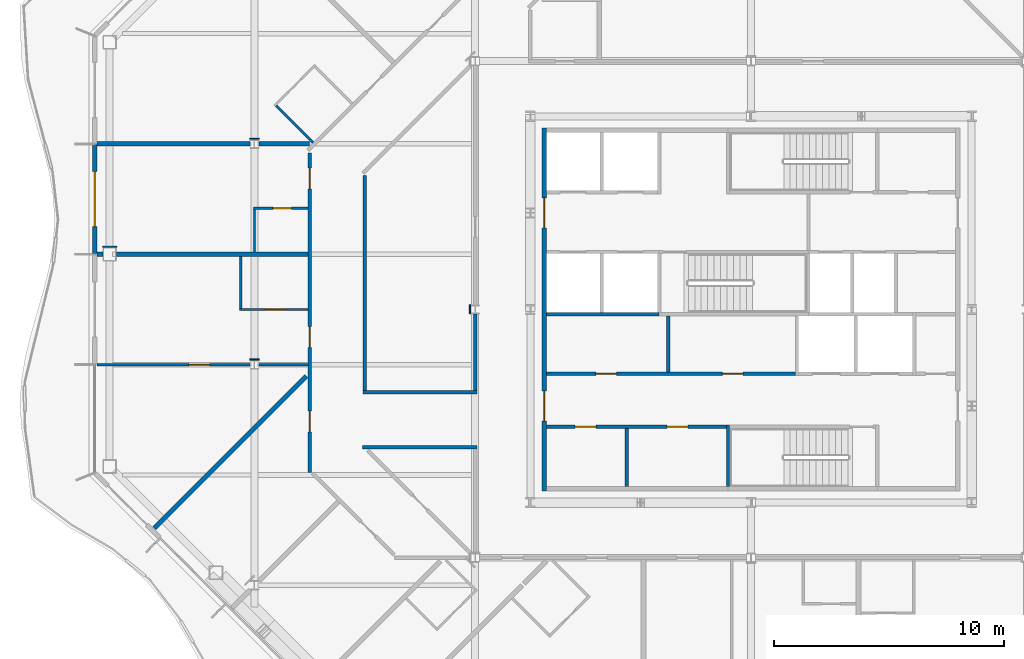
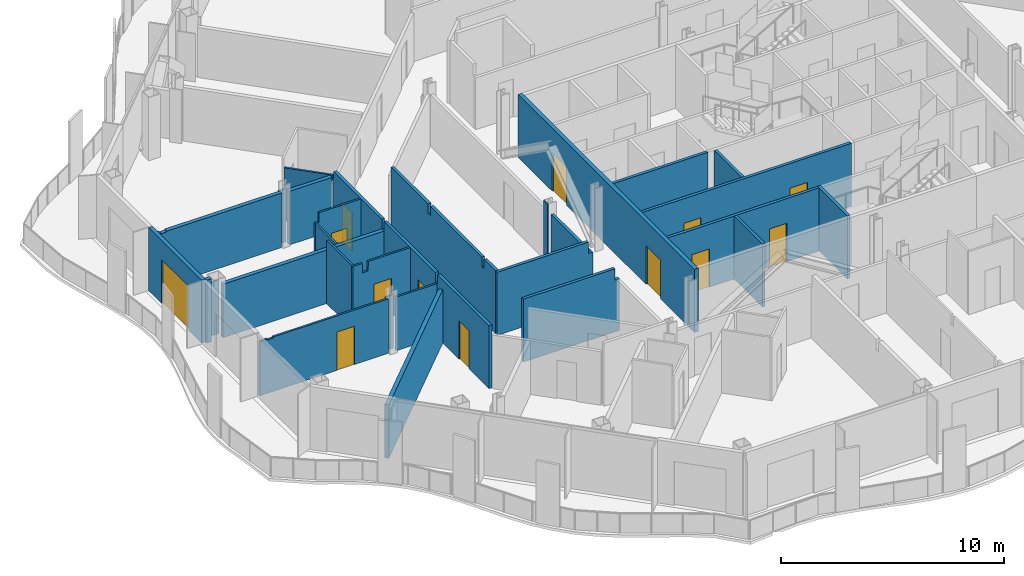
# One storey, part 8 of 21: 29 walls, 13 doors, 13 openings.
"""IFC4 building model written with IfcOpenShell, lengths in metres."""

from ifc_helpers import new_model, si_unit, direction, frame, frame_2d, origin, place, context, subcontext, project, spatial, polyline, rectangle, outline, extrude, material, layer, layer_set, type_object, element, fill, save


model = new_model("IFC4")

# Units and contexts
model_context = context("Model", 3, precision=1e-05, world=origin(), true_north=direction((0.0, 1.0)))
body_context = subcontext(model_context, "Body", "Model", "MODEL_VIEW")
ifc_project = project(units=[si_unit("LENGTHUNIT", "METRE"), si_unit("AREAUNIT", "SQUARE_METRE"), si_unit("VOLUMEUNIT", "CUBIC_METRE"), si_unit("PLANEANGLEUNIT", "RADIAN"), si_unit("MASSUNIT", "GRAM", prefix="KILO")], contexts=[model_context])

# Site, building, storey
site_placement = place(None, origin())
site = spatial("IfcSite", under=ifc_project, at=site_placement, CompositionType="ELEMENT")
building_placement = place(site_placement, origin())
building = spatial("IfcBuilding", under=site, at=building_placement, Name="Cairn Pilgrim Tower", CompositionType="ELEMENT")
storey_placement = place(building_placement, frame((0.0, 0.0, 150.60009765625)))
storey = spatial("IfcBuildingStorey", under=building, at=storey_placement, Name="L37", CompositionType="ELEMENT", Elevation=150.60009765625)

# Wall, opening, door
ifc_material_1 = material(Name="Bronze anodised aluminium insulated sandwich panel with mineral wool fill", Category="aluminium")
ifc_layer_1 = layer(ifc_material_1, 0.199951171875)
ifc_layer_set_1 = layer_set([ifc_layer_1], Name="BRONZE INFILL FRAME WALL 200")
wall_type_1 = type_object("IfcWallType", Name="BRONZE INFILL FRAME WALL 200", PredefinedType="NOTDEFINED", material=ifc_layer_set_1)
wall_1_placement = place(storey_placement, frame((-21.35009765625, 9.570068359375, 0.0), z_axis=(0.0, 0.0, 1.0), x_axis=(0.0, -1.0, 0.0)))
wall_1 = element("IfcWall", 1, at=wall_1_placement, inside=storey, type_object=wall_type_1, Name="Bronze infill frame wall IW-W2", PredefinedType="NOTDEFINED", context=body_context, shape_type="SweptSolid", body=[
    extrude(rectangle(XDim=4.739990234375, YDim=0.199951171875, at=frame_2d((2.3701171875, 0.0))), origin(), (0.0, 0.0, 1.0), 3.449951171875),
])
opening_1_placement = place(wall_1_placement, frame((1.169921875, 0.0, 0.0)))
opening_1 = element("IfcOpeningElement", 2, at=opening_1_placement, cuts=wall_1, Name="Opening 3714B", PredefinedType="OPENING", context=body_context, shape_type="SweptSolid", body=[
    extrude(rectangle(XDim=2.39990234375, YDim=2.39990234375, at=frame_2d((1.199951171875, 1.199951171875))), frame((0.0, 0.10986328125, 0.0), z_axis=(0.0, -1.0, 0.0), x_axis=(1.0, 0.0, 0.0)), (0.0, 0.0, 1.0), 0.219970703125),
])
ifc_material_2 = material(Name="Bronze anodised aluminium frame with tinted low-E glass", Category="aluminium")
door_type_1 = type_object("IfcDoorType", Name="BALCONY SLIDING DOOR 2400x2400", OperationType="DOUBLE_DOOR_SLIDING", PredefinedType="DOOR", material=ifc_material_2)
door_1_placement = place(opening_1_placement, origin())
door_1 = element("IfcDoor", 3, at=door_1_placement, inside=storey, type_object=door_type_1, Name="Balcony sliding door 3714B", OperationType="SINGLE_SWING_LEFT", OverallHeight=2.39990234375, OverallWidth=2.39990234375, PredefinedType="DOOR", context=body_context, shape_type="SweptSolid", body=[
    extrude(rectangle(XDim=2.39990234375, YDim=2.39990234375, at=frame_2d((1.199951171875, 1.199951171875))), frame((0.0, 0.02490234375, 0.0), z_axis=(0.0, -1.0, 0.0), x_axis=(1.0, 0.0, 0.0)), (0.0, 0.0, 1.0), 0.050048828125),
])
fill(opening_1, door_1)

# Wall, openings, doors
ifc_material_3 = material(Name="Concrete C32/40", Category="concrete")
ifc_layer_2 = layer(ifc_material_3, 0.199951171875)
ifc_layer_set_2 = layer_set([ifc_layer_2], Name="CORE OUTER WALL 200 EI 120")
wall_type_2 = type_object("IfcWallType", Name="CORE OUTER WALL 200 EI 120", PredefinedType="SOLIDWALL", material=ifc_layer_set_2)
wall_2_placement = place(storey_placement, frame((-1.800048828125, -5.5, 0.0), z_axis=(0.0, 0.0, 1.0), x_axis=(0.0, 1.0, 0.0)))
wall_2 = element("IfcWall", 4, at=wall_2_placement, inside=storey, type_object=wall_type_2, Name="CW:L37:V13", PredefinedType="SOLIDWALL", context=body_context, shape_type="SweptSolid", body=[
    extrude(rectangle(XDim=15.800048828125, YDim=0.199951171875, at=frame_2d((7.89990234375, 0.0))), origin(), (0.0, 0.0, 1.0), 3.449951171875),
])
opening_2_placement = place(wall_2_placement, frame((3.050048828125, 0.0, 0.0)))
opening_2 = element("IfcOpeningElement", 5, at=opening_2_placement, cuts=wall_2, Name="Opening CD-W1", PredefinedType="OPENING", context=body_context, shape_type="SweptSolid", body=[
    extrude(rectangle(XDim=1.300048828125, YDim=2.10009765625, at=frame_2d((0.64990234375, 1.050048828125))), frame((0.0, 0.10986328125, 0.0), z_axis=(0.0, -1.0, 0.0), x_axis=(1.0, 0.0, 0.0)), (0.0, 0.0, 1.0), 0.219970703125),
])
opening_3_placement = place(wall_2_placement, frame((11.449951171875, 0.0, 0.0)))
opening_3 = element("IfcOpeningElement", 6, at=opening_3_placement, cuts=wall_2, Name="Opening CD-W2", PredefinedType="OPENING", context=body_context, shape_type="SweptSolid", body=[
    extrude(rectangle(XDim=1.300048828125, YDim=2.10009765625, at=frame_2d((0.64990234375, 1.050048828125))), frame((0.0, 0.10986328125, 0.0), z_axis=(0.0, -1.0, 0.0), x_axis=(1.0, 0.0, 0.0)), (0.0, 0.0, 1.0), 0.219970703125),
])
ifc_material_4 = material(Name="Painted steel", Category="steel")
door_type_2 = type_object("IfcDoorType", Name="CORE LOBBY DOOR 1300x2100", OperationType="DOUBLE_DOOR_SINGLE_SWING", PredefinedType="DOOR", material=ifc_material_4)
door_2_placement = place(opening_2_placement, origin())
door_2 = element("IfcDoor", 7, at=door_2_placement, inside=storey, type_object=door_type_2, Name="CD-W1", OperationType="DOUBLE_DOOR_SINGLE_SWING", OverallHeight=2.10009765625, OverallWidth=1.300048828125, PredefinedType="DOOR", context=body_context, shape_type="SweptSolid", body=[
    extrude(rectangle(XDim=1.300048828125, YDim=2.10009765625, at=frame_2d((0.64990234375, 1.050048828125))), frame((0.0, 0.02490234375, 0.0), z_axis=(0.0, -1.0, 0.0), x_axis=(1.0, 0.0, 0.0)), (0.0, 0.0, 1.0), 0.050048828125),
])
fill(opening_2, door_2)
door_3_placement = place(opening_3_placement, origin())
door_3 = element("IfcDoor", 8, at=door_3_placement, inside=storey, type_object=door_type_2, Name="CD-W2", OperationType="DOUBLE_DOOR_SINGLE_SWING", OverallHeight=2.10009765625, OverallWidth=1.300048828125, PredefinedType="DOOR", context=body_context, shape_type="SweptSolid", body=[
    extrude(rectangle(XDim=1.300048828125, YDim=2.10009765625, at=frame_2d((0.64990234375, 1.050048828125))), frame((0.0, 0.02490234375, 0.0), z_axis=(0.0, -1.0, 0.0), x_axis=(1.0, 0.0, 0.0)), (0.0, 0.0, 1.0), 0.050048828125),
])
fill(opening_3, door_3)

ifc_layer_3 = layer(ifc_material_3, 0.14990234375)
ifc_layer_set_3 = layer_set([ifc_layer_3], Name="CORE PARTITION 150 EI 60")
wall_type_3 = type_object("IfcWallType", Name="CORE PARTITION 150 EI 60", PredefinedType="PARTITIONING", material=ifc_layer_set_3)
wall_3_placement = place(storey_placement, frame((-1.699951171875, -2.699951171875, 0.0), z_axis=(0.0, 0.0, 1.0), x_axis=(1.0, 0.0, 0.0)))
wall_3 = element("IfcWall", 9, at=wall_3_placement, inside=storey, type_object=wall_type_3, Name="CW:L37:H02", PredefinedType="PARTITIONING", context=body_context, shape_type="SweptSolid", body=[
    extrude(rectangle(XDim=7.824951171875, YDim=0.14990234375, at=frame_2d((3.91259765625, 0.0))), origin(), (0.0, 0.0, 1.0), 3.449951171875),
])
opening_4_placement = place(wall_3_placement, frame((1.25, 0.0, 0.0)))
opening_4 = element("IfcOpeningElement", 10, at=opening_4_placement, cuts=wall_3, Name="Opening RD-R1W1", PredefinedType="OPENING", context=body_context, shape_type="SweptSolid", body=[
    extrude(rectangle(XDim=0.89990234375, YDim=2.10009765625, at=frame_2d((0.449951171875, 1.050048828125))), frame((0.0, 0.0849609375, 0.0), z_axis=(0.0, -1.0, 0.0), x_axis=(1.0, 0.0, 0.0)), (0.0, 0.0, 1.0), 0.169921875),
])
opening_5_placement = place(wall_3_placement, frame((5.25, 0.0, 0.0)))
opening_5 = element("IfcOpeningElement", 11, at=opening_5_placement, cuts=wall_3, Name="Opening RD-R1W2", PredefinedType="OPENING", context=body_context, shape_type="SweptSolid", body=[
    extrude(rectangle(XDim=0.89990234375, YDim=2.10009765625, at=frame_2d((0.449951171875, 1.050048828125))), frame((0.0, 0.0849609375, 0.0), z_axis=(0.0, -1.0, 0.0), x_axis=(1.0, 0.0, 0.0)), (0.0, 0.0, 1.0), 0.169921875),
])
door_type_3 = type_object("IfcDoorType", Name="SERVICE ROOM DOOR 900x2100", OperationType="SINGLE_SWING_LEFT", PredefinedType="DOOR", material=ifc_material_4)
door_4_placement = place(opening_4_placement, origin())
door_4 = element("IfcDoor", 12, at=door_4_placement, inside=storey, type_object=door_type_3, Name="RD-R1W1", OperationType="SINGLE_SWING_LEFT", OverallHeight=2.10009765625, OverallWidth=0.89990234375, PredefinedType="DOOR", context=body_context, shape_type="SweptSolid", body=[
    extrude(rectangle(XDim=0.89990234375, YDim=2.10009765625, at=frame_2d((0.449951171875, 1.050048828125))), frame((0.0, 0.02490234375, 0.0), z_axis=(0.0, -1.0, 0.0), x_axis=(1.0, 0.0, 0.0)), (0.0, 0.0, 1.0), 0.050048828125),
])
fill(opening_4, door_4)
door_5_placement = place(opening_5_placement, origin())
door_5 = element("IfcDoor", 13, at=door_5_placement, inside=storey, type_object=door_type_3, Name="RD-R1W2", OperationType="SINGLE_SWING_RIGHT", OverallHeight=2.10009765625, OverallWidth=0.89990234375, PredefinedType="DOOR", context=body_context, shape_type="SweptSolid", body=[
    extrude(rectangle(XDim=0.89990234375, YDim=2.10009765625, at=frame_2d((0.449951171875, 1.050048828125))), frame((0.0, 0.02490234375, 0.0), z_axis=(0.0, -1.0, 0.0), x_axis=(1.0, 0.0, 0.0)), (0.0, 0.0, 1.0), 0.050048828125),
])
fill(opening_5, door_5)

wall_4_placement = place(storey_placement, frame((-1.699951171875, -0.39990234375, 0.0), z_axis=(0.0, 0.0, 1.0), x_axis=(1.0, 0.0, 0.0)))
wall_4 = element("IfcWall", 14, at=wall_4_placement, inside=storey, type_object=wall_type_3, Name="CW:L37:H04", PredefinedType="PARTITIONING", context=body_context, shape_type="SweptSolid", body=[
    extrude(rectangle(XDim=10.824951171875, YDim=0.14990234375, at=frame_2d((5.41259765625, 0.0))), origin(), (0.0, 0.0, 1.0), 3.449951171875),
])
opening_6_placement = place(wall_4_placement, frame((2.14990234375, 0.0, 0.0)))
opening_6 = element("IfcOpeningElement", 15, at=opening_6_placement, cuts=wall_4, Name="Opening RD-R2W1", PredefinedType="OPENING", context=body_context, shape_type="SweptSolid", body=[
    extrude(rectangle(XDim=0.89990234375, YDim=2.10009765625, at=frame_2d((0.449951171875, 1.050048828125))), frame((0.0, 0.0849609375, 0.0), z_axis=(0.0, -1.0, 0.0), x_axis=(1.0, 0.0, 0.0)), (0.0, 0.0, 1.0), 0.169921875),
])
opening_7_placement = place(wall_4_placement, frame((7.64990234375, 0.0, 0.0)))
opening_7 = element("IfcOpeningElement", 16, at=opening_7_placement, cuts=wall_4, Name="Opening RD-R2W2", PredefinedType="OPENING", context=body_context, shape_type="SweptSolid", body=[
    extrude(rectangle(XDim=0.89990234375, YDim=2.10009765625, at=frame_2d((0.449951171875, 1.050048828125))), frame((0.0, 0.0849609375, 0.0), z_axis=(0.0, -1.0, 0.0), x_axis=(1.0, 0.0, 0.0)), (0.0, 0.0, 1.0), 0.169921875),
])
door_6_placement = place(opening_6_placement, origin())
door_6 = element("IfcDoor", 17, at=door_6_placement, inside=storey, type_object=door_type_3, Name="RD-R2W1", OperationType="SINGLE_SWING_LEFT", OverallHeight=2.10009765625, OverallWidth=0.89990234375, PredefinedType="DOOR", context=body_context, shape_type="SweptSolid", body=[
    extrude(rectangle(XDim=0.89990234375, YDim=2.10009765625, at=frame_2d((0.449951171875, 1.050048828125))), frame((0.0, 0.02490234375, 0.0), z_axis=(0.0, -1.0, 0.0), x_axis=(1.0, 0.0, 0.0)), (0.0, 0.0, 1.0), 0.050048828125),
])
fill(opening_6, door_6)
door_7_placement = place(opening_7_placement, origin())
door_7 = element("IfcDoor", 18, at=door_7_placement, inside=storey, type_object=door_type_3, Name="RD-R2W2", OperationType="SINGLE_SWING_RIGHT", OverallHeight=2.10009765625, OverallWidth=0.89990234375, PredefinedType="DOOR", context=body_context, shape_type="SweptSolid", body=[
    extrude(rectangle(XDim=0.89990234375, YDim=2.10009765625, at=frame_2d((0.449951171875, 1.050048828125))), frame((0.0, 0.02490234375, 0.0), z_axis=(0.0, -1.0, 0.0), x_axis=(1.0, 0.0, 0.0)), (0.0, 0.0, 1.0), 0.050048828125),
])
fill(opening_7, door_7)

# Walls
wall_5_placement = place(storey_placement, frame((1.800048828125, -5.300048828125, 0.0), z_axis=(0.0, 0.0, 1.0), x_axis=(0.0, 1.0, 0.0)))
element("IfcWall", 19, at=wall_5_placement, inside=storey, type_object=wall_type_3, Name="CW:L37:V16", PredefinedType="PARTITIONING", context=body_context, shape_type="SweptSolid", body=[
    extrude(rectangle(XDim=2.525146484375, YDim=0.14990234375, at=frame_2d((1.2626953125, 0.0))), origin(), (0.0, 0.0, 1.0), 3.449951171875),
])
wall_6_placement = place(storey_placement, frame((3.60009765625, -0.324951171875, 0.0), z_axis=(0.0, 0.0, 1.0), x_axis=(0.0, 1.0, 0.0)))
element("IfcWall", 20, at=wall_6_placement, inside=storey, type_object=wall_type_3, Name="CW:L37:V19", PredefinedType="PARTITIONING", context=body_context, shape_type="SweptSolid", body=[
    extrude(rectangle(XDim=2.449951171875, YDim=0.14990234375, at=frame_2d((1.22509765625, 0.0))), origin(), (0.0, 0.0, 1.0), 3.449951171875),
])
ifc_layer_4 = layer(ifc_material_3, 0.14990234375)
ifc_layer_set_4 = layer_set([ifc_layer_4], Name="CORE SHAFT WALL 150 EI 120")
wall_type_4 = type_object("IfcWallType", Name="CORE SHAFT WALL 150 EI 120", PredefinedType="SOLIDWALL", material=ifc_layer_set_4)
wall_7_placement = place(storey_placement, frame((-1.699951171875, 2.199951171875, 0.0), z_axis=(0.0, 0.0, 1.0), x_axis=(1.0, 0.0, 0.0)))
element("IfcWall", 21, at=wall_7_placement, inside=storey, type_object=wall_type_4, Name="CW:L37:H07-1", PredefinedType="SOLIDWALL", context=body_context, shape_type="SweptSolid", body=[
    extrude(rectangle(XDim=4.89990234375, YDim=0.14990234375, at=frame_2d((2.449951171875, 0.0))), origin(), (0.0, 0.0, 1.0), 3.449951171875),
])

# Wall, opening, door
ifc_material_5 = material(Name="Gypsum partition")
ifc_layer_5 = layer(ifc_material_5, 0.10009765625)
ifc_layer_set_5 = layer_set([ifc_layer_5], Name="PARTITION 100 DRYWALL")
wall_type_5 = type_object("IfcWallType", Name="PARTITION 100 DRYWALL", PredefinedType="PARTITIONING", material=ifc_layer_set_5)
wall_8_placement = place(storey_placement, frame((-21.25, 0.0, 0.0), z_axis=(0.0, 0.0, 1.0), x_axis=(1.0, 0.0, 0.0)))
wall_8 = element("IfcWall", 22, at=wall_8_placement, inside=storey, type_object=wall_type_5, Name="PARTITION W051", PredefinedType="PARTITIONING", context=body_context, shape_type="SweptSolid", body=[
    extrude(outline(polyline([(0.0, 0.0), (6.650390625, 0.0), (6.650390625, 2.97998046875), (0.699951171875, 2.97998046875), (0.697998046875, 2.929931640625), (0.39990234375, 2.929931640625), (0.39794921875, 2.97998046875), (0.0, 2.97998046875), (0.0, 0.0)])), frame((0.0, 0.050048828125, 0.0), z_axis=(0.0, -1.0, 0.0), x_axis=(1.0, 0.0, 0.0)), (0.0, 0.0, 1.0), 0.10009765625),
])
opening_8_placement = place(wall_8_placement, frame((4.0, 0.0, 0.0)))
opening_8 = element("IfcOpeningElement", 23, at=opening_8_placement, cuts=wall_8, Name="Opening 3722", PredefinedType="OPENING", context=body_context, shape_type="SweptSolid", body=[
    extrude(rectangle(XDim=0.89990234375, YDim=2.10009765625, at=frame_2d((0.449951171875, 1.050048828125))), frame((0.0, 0.06005859375, 0.0), z_axis=(0.0, -1.0, 0.0), x_axis=(1.0, 0.0, 0.0)), (0.0, 0.0, 1.0), 0.1201171875),
])
ifc_material_6 = material(Name="Timber door leaf", Category="wood")
door_type_4 = type_object("IfcDoorType", Name="SERVICE DOOR 900x2100", OperationType="NOTDEFINED", PredefinedType="DOOR", material=ifc_material_6)
door_8_placement = place(opening_8_placement, origin())
door_8 = element("IfcDoor", 24, at=door_8_placement, inside=storey, type_object=door_type_4, Name="DOOR 3722", OperationType="SINGLE_SWING_RIGHT", OverallHeight=2.10009765625, OverallWidth=0.89990234375, PredefinedType="DOOR", context=body_context, shape_type="SweptSolid", body=[
    extrude(rectangle(XDim=0.89990234375, YDim=2.10009765625, at=frame_2d((0.449951171875, 1.050048828125))), frame((0.0, 0.02490234375, 0.0), z_axis=(0.0, -1.0, 0.0), x_axis=(1.0, 0.0, 0.0)), (0.0, 0.0, 1.0), 0.050048828125),
])
fill(opening_8, door_8)

# Wall
wall_9_placement = place(storey_placement, frame((-14.200439453125, 0.0, 0.0), z_axis=(0.0, 0.0, 1.0), x_axis=(1.0, 0.0, 0.0)))
element("IfcWall", 25, at=wall_9_placement, inside=storey, type_object=wall_type_5, Name="PARTITION W052", PredefinedType="PARTITIONING", context=body_context, shape_type="SweptSolid", body=[
    extrude(rectangle(XDim=2.12548828125, YDim=0.10009765625, at=frame_2d((1.062744140625, 0.0))), origin(), (0.0, 0.0, 1.0), 2.929931640625),
])

# Wall, opening, door
wall_10_placement = place(storey_placement, frame((-15.050048828125, 2.39990234375, 0.0), z_axis=(0.0, 0.0, 1.0), x_axis=(1.0, 0.0, 0.0)))
wall_10 = element("IfcWall", 26, at=wall_10_placement, inside=storey, type_object=wall_type_5, Name="PARTITION W056", PredefinedType="PARTITIONING", context=body_context, shape_type="SweptSolid", body=[
    extrude(outline(polyline([(0.0, 0.0), (2.97509765625, 0.0), (2.97509765625, 3.449951171875), (0.800048828125, 3.449951171875), (0.798095703125, 2.929931640625), (0.5, 2.929931640625), (0.498046875, 3.449951171875), (0.0, 3.449951171875), (0.0, 0.0)])), frame((0.0, 0.050048828125, 0.0), z_axis=(0.0, -1.0, 0.0), x_axis=(1.0, 0.0, 0.0)), (0.0, 0.0, 1.0), 0.10009765625),
])
opening_9_placement = place(wall_10_placement, frame((1.10009765625, 0.0, 0.0)))
opening_9 = element("IfcOpeningElement", 27, at=opening_9_placement, cuts=wall_10, Name="Opening 3715A", PredefinedType="OPENING", context=body_context, shape_type="SweptSolid", body=[
    extrude(rectangle(XDim=0.89990234375, YDim=2.10009765625, at=frame_2d((0.449951171875, 1.050048828125))), frame((0.0, 0.06005859375, 0.0), z_axis=(0.0, -1.0, 0.0), x_axis=(1.0, 0.0, 0.0)), (0.0, 0.0, 1.0), 0.1201171875),
])
door_type_5 = type_object("IfcDoorType", Name="WC DOOR 900x2100", OperationType="NOTDEFINED", PredefinedType="DOOR", material=ifc_material_6)
door_9_placement = place(opening_9_placement, frame((0.89990234375, 0.0, 0.0), z_axis=(0.0, 0.0, 1.0), x_axis=(-1.0, 0.0, 0.0)))
door_9 = element("IfcDoor", 28, at=door_9_placement, inside=storey, type_object=door_type_5, Name="DOOR 3715A", OperationType="SINGLE_SWING_RIGHT", OverallHeight=2.10009765625, OverallWidth=0.89990234375, PredefinedType="DOOR", context=body_context, shape_type="SweptSolid", body=[
    extrude(rectangle(XDim=0.89990234375, YDim=2.10009765625, at=frame_2d((0.449951171875, 1.050048828125))), frame((0.0, 0.02490234375, 0.0), z_axis=(0.0, -1.0, 0.0), x_axis=(1.0, 0.0, 0.0)), (0.0, 0.0, 1.0), 0.050048828125),
])
fill(opening_9, door_9)

# Walls
wall_11_placement = place(storey_placement, frame((-15.0, 2.449951171875, 0.0), z_axis=(0.0, 0.0, 1.0), x_axis=(0.0, 1.0, 0.0)))
element("IfcWall", 29, at=wall_11_placement, inside=storey, type_object=wall_type_5, Name="PARTITION W057", PredefinedType="PARTITIONING", context=body_context, shape_type="SweptSolid", body=[
    extrude(rectangle(XDim=2.25, YDim=0.10009765625, at=frame_2d((1.125, 0.0))), origin(), (0.0, 0.0, 1.0), 3.449951171875),
])
wall_12_placement = place(storey_placement, frame((-14.39990234375, 4.89990234375, 0.0), z_axis=(0.0, 0.0, 1.0), x_axis=(0.0, 1.0, 0.0)))
element("IfcWall", 30, at=wall_12_placement, inside=storey, type_object=wall_type_5, Name="PARTITION W066", PredefinedType="PARTITIONING", context=body_context, shape_type="SweptSolid", body=[
    extrude(rectangle(XDim=1.85009765625, YDim=0.10009765625, at=frame_2d((0.925048828125, 0.0))), origin(), (0.0, 0.0, 1.0), 2.929931640625),
])

# Wall, opening, door
wall_13_placement = place(storey_placement, frame((-14.449951171875, 6.800048828125, 0.0), z_axis=(0.0, 0.0, 1.0), x_axis=(1.0, 0.0, 0.0)))
wall_13 = element("IfcWall", 31, at=wall_13_placement, inside=storey, type_object=wall_type_5, Name="PARTITION W067", PredefinedType="PARTITIONING", context=body_context, shape_type="SweptSolid", body=[
    extrude(outline(polyline([(0.0, 0.0), (2.375, 0.0), (2.375, 3.449951171875), (0.199951171875, 3.449951171875), (0.197998046875, 2.929931640625), (0.0, 2.929931640625), (0.0, 0.0)])), frame((0.0, 0.050048828125, 0.0), z_axis=(0.0, -1.0, 0.0), x_axis=(1.0, 0.0, 0.0)), (0.0, 0.0, 1.0), 0.10009765625),
])
opening_10_placement = place(wall_13_placement, frame((0.85009765625, 0.0, 0.0)))
opening_10 = element("IfcOpeningElement", 32, at=opening_10_placement, cuts=wall_13, Name="Opening 3714A", PredefinedType="OPENING", context=body_context, shape_type="SweptSolid", body=[
    extrude(rectangle(XDim=0.800048828125, YDim=2.10009765625, at=frame_2d((0.39990234375, 1.050048828125))), frame((0.0, 0.06005859375, 0.0), z_axis=(0.0, -1.0, 0.0), x_axis=(1.0, 0.0, 0.0)), (0.0, 0.0, 1.0), 0.1201171875),
])
door_type_6 = type_object("IfcDoorType", Name="WC DOOR 800x2100", OperationType="NOTDEFINED", PredefinedType="DOOR", material=ifc_material_6)
door_10_placement = place(opening_10_placement, origin())
door_10 = element("IfcDoor", 33, at=door_10_placement, inside=storey, type_object=door_type_6, Name="DOOR 3714A", OperationType="SINGLE_SWING_RIGHT", OverallHeight=2.10009765625, OverallWidth=0.800048828125, PredefinedType="DOOR", context=body_context, shape_type="SweptSolid", body=[
    extrude(rectangle(XDim=0.800048828125, YDim=2.10009765625, at=frame_2d((0.39990234375, 1.050048828125))), frame((0.0, 0.02490234375, 0.0), z_axis=(0.0, -1.0, 0.0), x_axis=(1.0, 0.0, 0.0)), (0.0, 0.0, 1.0), 0.050048828125),
])
fill(opening_10, door_10)

# Wall
wall_14_placement = place(storey_placement, frame((-11.846923828125, 9.653076171875, 0.0), z_axis=(0.0, 0.0, 1.0), x_axis=(-0.707106781187, 0.707106781187, 0.0)))
element("IfcWall", 34, at=wall_14_placement, inside=storey, type_object=wall_type_5, Name="PARTITION W076", PredefinedType="PARTITIONING", context=body_context, shape_type="SweptSolid", body=[
    extrude(rectangle(XDim=2.27490234375, YDim=0.10009765625, at=frame_2d((1.137451171875, 0.0))), origin(), (0.0, 0.0, 1.0), 2.929931640625),
])

# Wall, openings, doors
ifc_layer_6 = layer(ifc_material_5, 0.14990234375)
ifc_layer_set_6 = layer_set([ifc_layer_6], Name="PARTITION 150 DRYWALL EI 60")
wall_type_6 = type_object("IfcWallType", Name="PARTITION 150 DRYWALL EI 60", PredefinedType="PARTITIONING", material=ifc_layer_set_6)
wall_15_placement = place(storey_placement, frame((-12.0, -4.7001953125, 0.0), z_axis=(0.0, 0.0, 1.0), x_axis=(0.0, 1.0, 0.0)))
wall_15 = element("IfcWall", 35, at=wall_15_placement, inside=storey, type_object=wall_type_6, Name="PARTITION W038", PredefinedType="PARTITIONING", context=body_context, shape_type="SweptSolid", body=[
    extrude(outline(polyline([(0.0, 0.0), (13.9130859375, 0.0), (13.9130859375, 3.449951171875), (9.60009765625, 3.449951171875), (9.59814453125, 2.929931640625), (9.400146484375, 2.929931640625), (9.398193359375, 3.449951171875), (4.800048828125, 3.449951171875), (4.798095703125, 2.929931640625), (4.60009765625, 2.929931640625), (4.59814453125, 3.449951171875), (0.0, 3.449951171875), (0.0, 0.0)])), frame((0.0, 0.074951171875, 0.0), z_axis=(0.0, -1.0, 0.0), x_axis=(1.0, 0.0, 0.0)), (0.0, 0.0, 1.0), 0.14990234375),
])
opening_11_placement = place(wall_15_placement, frame((12.34716796875, 0.0, 0.0)))
opening_11 = element("IfcOpeningElement", 36, at=opening_11_placement, cuts=wall_15, Name="Opening 3714", PredefinedType="OPENING", context=body_context, shape_type="SweptSolid", body=[
    extrude(rectangle(XDim=0.89990234375, YDim=2.10009765625, at=frame_2d((0.449951171875, 1.050048828125))), frame((0.0, 0.0849609375, 0.0), z_axis=(0.0, -1.0, 0.0), x_axis=(1.0, 0.0, 0.0)), (0.0, 0.0, 1.0), 0.169921875),
])
opening_12_placement = place(wall_15_placement, frame((5.449951171875, 0.0, 0.0)))
opening_12 = element("IfcOpeningElement", 37, at=opening_12_placement, cuts=wall_15, Name="Opening 3715", PredefinedType="OPENING", context=body_context, shape_type="SweptSolid", body=[
    extrude(rectangle(XDim=0.89990234375, YDim=2.10009765625, at=frame_2d((0.449951171875, 1.050048828125))), frame((0.0, 0.0849609375, 0.0), z_axis=(0.0, -1.0, 0.0), x_axis=(1.0, 0.0, 0.0)), (0.0, 0.0, 1.0), 0.169921875),
])
opening_13_placement = place(wall_15_placement, frame((1.777099609375, 0.0, 0.0)))
opening_13 = element("IfcOpeningElement", 38, at=opening_13_placement, cuts=wall_15, Name="Opening 3716", PredefinedType="OPENING", context=body_context, shape_type="SweptSolid", body=[
    extrude(rectangle(XDim=0.89990234375, YDim=2.10009765625, at=frame_2d((0.449951171875, 1.050048828125))), frame((0.0, 0.0849609375, 0.0), z_axis=(0.0, -1.0, 0.0), x_axis=(1.0, 0.0, 0.0)), (0.0, 0.0, 1.0), 0.169921875),
])
door_type_7 = type_object("IfcDoorType", Name="ROOM DOOR 900x2100 FD30S", OperationType="NOTDEFINED", PredefinedType="DOOR", material=ifc_material_6)
door_11_placement = place(opening_11_placement, origin())
door_11 = element("IfcDoor", 39, at=door_11_placement, inside=storey, type_object=door_type_7, Name="DOOR 3714", OperationType="SINGLE_SWING_RIGHT", OverallHeight=2.10009765625, OverallWidth=0.89990234375, PredefinedType="DOOR", context=body_context, shape_type="SweptSolid", body=[
    extrude(rectangle(XDim=0.89990234375, YDim=2.10009765625, at=frame_2d((0.449951171875, 1.050048828125))), frame((0.0, 0.02490234375, 0.0), z_axis=(0.0, -1.0, 0.0), x_axis=(1.0, 0.0, 0.0)), (0.0, 0.0, 1.0), 0.050048828125),
])
fill(opening_11, door_11)
door_12_placement = place(opening_12_placement, origin())
door_12 = element("IfcDoor", 40, at=door_12_placement, inside=storey, type_object=door_type_7, Name="DOOR 3715", OperationType="SINGLE_SWING_RIGHT", OverallHeight=2.10009765625, OverallWidth=0.89990234375, PredefinedType="DOOR", context=body_context, shape_type="SweptSolid", body=[
    extrude(rectangle(XDim=0.89990234375, YDim=2.10009765625, at=frame_2d((0.449951171875, 1.050048828125))), frame((0.0, 0.02490234375, 0.0), z_axis=(0.0, -1.0, 0.0), x_axis=(1.0, 0.0, 0.0)), (0.0, 0.0, 1.0), 0.050048828125),
])
fill(opening_12, door_12)
door_type_8 = type_object("IfcDoorType", Name="SERVICE DOOR 900x2100 FD30S", OperationType="NOTDEFINED", PredefinedType="DOOR", material=ifc_material_6)
door_13_placement = place(opening_13_placement, origin())
door_13 = element("IfcDoor", 41, at=door_13_placement, inside=storey, type_object=door_type_8, Name="DOOR 3716", OperationType="SINGLE_SWING_RIGHT", OverallHeight=2.10009765625, OverallWidth=0.89990234375, PredefinedType="DOOR", context=body_context, shape_type="SweptSolid", body=[
    extrude(rectangle(XDim=0.89990234375, YDim=2.10009765625, at=frame_2d((0.449951171875, 1.050048828125))), frame((0.0, 0.02490234375, 0.0), z_axis=(0.0, -1.0, 0.0), x_axis=(1.0, 0.0, 0.0)), (0.0, 0.0, 1.0), 0.050048828125),
])
fill(opening_13, door_13)

# Walls
wall_16_placement = place(storey_placement, frame((-9.7060546875, -3.60009765625, 0.0), z_axis=(0.0, 0.0, 1.0), x_axis=(1.0, 0.0, 0.0)))
element("IfcWall", 42, at=wall_16_placement, inside=storey, type_object=wall_type_6, Name="PARTITION W042", PredefinedType="PARTITIONING", context=body_context, shape_type="SweptSolid", body=[
    extrude(outline(polyline([(0.0, 0.0), (4.98095703125, 0.0), (4.981201171875, 2.829833984375), (4.756103515625, 2.829833984375), (4.754150390625, 3.449951171875), (0.0, 3.449951171875), (0.0, 0.0)])), frame((0.0, 0.074951171875, 0.0), z_axis=(0.0, -1.0, 0.0), x_axis=(1.0, 0.0, 0.0)), (0.0, 0.0, 1.0), 0.14990234375),
])
wall_17_placement = place(storey_placement, frame((-9.675048828125, -1.199951171875, 0.0), z_axis=(0.0, 0.0, 1.0), x_axis=(1.0, 0.0, 0.0)))
element("IfcWall", 43, at=wall_17_placement, inside=storey, type_object=wall_type_6, Name="PARTITION W044", PredefinedType="PARTITIONING", context=body_context, shape_type="SweptSolid", body=[
    extrude(outline(polyline([(0.0, 0.0), (4.949951171875, 0.0), (4.949951171875, 2.829833984375), (4.72509765625, 2.829833984375), (4.722900390625, 3.449951171875), (0.0, 3.449951171875), (0.0, 0.0)])), frame((0.0, 0.074951171875, 0.0), z_axis=(0.0, -1.0, 0.0), x_axis=(1.0, 0.0, 0.0)), (0.0, 0.0, 1.0), 0.14990234375),
])
wall_18_placement = place(storey_placement, frame((-9.60009765625, -1.125, 0.0), z_axis=(0.0, 0.0, 1.0), x_axis=(0.0, 1.0, 0.0)))
element("IfcWall", 44, at=wall_18_placement, inside=storey, type_object=wall_type_6, Name="PARTITION W046", PredefinedType="PARTITIONING", context=body_context, shape_type="SweptSolid", body=[
    extrude(outline(polyline([(0.0, 0.0), (9.343994140625, 0.0), (9.343994140625, 3.449951171875), (6.02490234375, 3.449951171875), (6.02294921875, 2.929931640625), (5.824951171875, 2.929931640625), (5.822998046875, 3.449951171875), (1.22509765625, 3.449951171875), (1.222900390625, 2.929931640625), (1.02490234375, 2.929931640625), (1.02294921875, 3.449951171875), (0.0, 3.449951171875), (0.0, 0.0)])), frame((0.0, 0.074951171875, 0.0), z_axis=(0.0, -1.0, 0.0), x_axis=(1.0, 0.0, 0.0)), (0.0, 0.0, 1.0), 0.14990234375),
])
wall_19_placement = place(storey_placement, frame((-4.800048828125, -1.125, 0.0), z_axis=(0.0, 0.0, 1.0), x_axis=(0.0, 1.0, 0.0)))
element("IfcWall", 45, at=wall_19_placement, inside=storey, type_object=wall_type_6, Name="PARTITION W047", PredefinedType="PARTITIONING", context=body_context, shape_type="SweptSolid", body=[
    extrude(rectangle(XDim=3.32861328125, YDim=0.14990234375, at=frame_2d((1.664306640625, 0.0))), origin(), (0.0, 0.0, 1.0), 2.829833984375),
])
ifc_layer_7 = layer(ifc_material_5, 0.050048828125)
ifc_layer_set_7 = layer_set([ifc_layer_7], Name="PARTITION 50 DRYWALL")
wall_type_7 = type_object("IfcWallType", Name="PARTITION 50 DRYWALL", PredefinedType="PARTITIONING", material=ifc_layer_set_7)
wall_20_placement = place(storey_placement, frame((-14.599609375, 0.221435546875, 0.0), z_axis=(0.0, 0.0, 1.0), x_axis=(1.0, 0.0, 0.0)))
element("IfcWall", 46, at=wall_20_placement, inside=storey, type_object=wall_type_7, Name="COLUMN CASING WC21", PredefinedType="PARTITIONING", context=body_context, shape_type="SweptSolid", body=[
    extrude(rectangle(XDim=0.399169921875, YDim=0.050048828125, at=frame_2d((0.19970703125, 0.0))), origin(), (0.0, 0.0, 1.0), 2.929931640625),
])
ifc_layer_8 = layer(ifc_material_5, 0.050048828125)
ifc_layer_set_8 = layer_set([ifc_layer_8], Name="PARTITION 50 DRYWALL EI 60")
wall_type_8 = type_object("IfcWallType", Name="PARTITION 50 DRYWALL EI 60", PredefinedType="PARTITIONING", material=ifc_layer_set_8)
wall_21_placement = place(storey_placement, frame((-5.0244140625, 2.20361328125, 0.0), z_axis=(0.0, 0.0, 1.0), x_axis=(0.0, 1.0, 0.0)))
element("IfcWall", 47, at=wall_21_placement, inside=storey, type_object=wall_type_8, Name="COLUMN CASING WC17", PredefinedType="PARTITIONING", context=body_context, shape_type="SweptSolid", body=[
    extrude(rectangle(XDim=0.392822265625, YDim=0.050048828125, at=frame_2d((0.1962890625, 0.0))), origin(), (0.0, 0.0, 1.0), 3.449951171875),
])
wall_22_placement = place(storey_placement, frame((-21.0, 5.125, 0.0), z_axis=(0.0, 0.0, 1.0), x_axis=(1.0, 0.0, 0.0)))
element("IfcWall", 48, at=wall_22_placement, inside=storey, type_object=wall_type_8, Name="COLUMN CASING WC23", PredefinedType="PARTITIONING", context=body_context, shape_type="SweptSolid", body=[
    extrude(rectangle(XDim=0.60009765625, YDim=0.050048828125, at=frame_2d((0.300048828125, 0.0))), origin(), (0.0, 0.0, 1.0), 2.929931640625),
])
wall_23_placement = place(storey_placement, frame((-14.599609375, 9.821533203125, 0.0), z_axis=(0.0, 0.0, 1.0), x_axis=(1.0, 0.0, 0.0)))
element("IfcWall", 49, at=wall_23_placement, inside=storey, type_object=wall_type_8, Name="COLUMN CASING WC27", PredefinedType="PARTITIONING", context=body_context, shape_type="SweptSolid", body=[
    extrude(rectangle(XDim=0.399169921875, YDim=0.050048828125, at=frame_2d((0.19970703125, 0.0))), origin(), (0.0, 0.0, 1.0), 2.929931640625),
])
ifc_layer_9 = layer(ifc_material_5, 0.199951171875)
ifc_layer_set_9 = layer_set([ifc_layer_9], Name="SHAFT WALL 200 GYPSUM EI 60")
wall_type_9 = type_object("IfcWallType", Name="SHAFT WALL 200 GYPSUM EI 60", PredefinedType="PARTITIONING", material=ifc_layer_set_9)
wall_24_placement = place(storey_placement, frame((-18.75537109375, -7.107421875, 0.0), z_axis=(0.0, 0.0, 1.0), x_axis=(0.707106781187, 0.707106781187, 0.0)))
element("IfcWall", 50, at=wall_24_placement, inside=storey, type_object=wall_type_9, Name="PARTITION W036", PredefinedType="PARTITIONING", context=body_context, shape_type="SweptSolid", body=[
    extrude(rectangle(XDim=9.347412109375, YDim=0.199951171875, at=frame_2d((4.673828125, 0.0))), origin(), (0.0, 0.0, 1.0), 2.929931640625),
])
wall_25_placement = place(storey_placement, frame((-21.25, 4.800048828125, 0.0), z_axis=(0.0, 0.0, 1.0), x_axis=(1.0, 0.0, 0.0)))
element("IfcWall", 51, at=wall_25_placement, inside=storey, type_object=wall_type_9, Name="PARTITION W062", PredefinedType="PARTITIONING", context=body_context, shape_type="SweptSolid", body=[
    extrude(rectangle(XDim=0.25, YDim=0.199951171875, at=frame_2d((0.125, 0.0))), origin(), (0.0, 0.0, 1.0), 3.449951171875),
])
wall_26_placement = place(storey_placement, frame((-20.39990234375, 4.800048828125, 0.0), z_axis=(0.0, 0.0, 1.0), x_axis=(1.0, 0.0, 0.0)))
element("IfcWall", 52, at=wall_26_placement, inside=storey, type_object=wall_type_9, Name="PARTITION W063", PredefinedType="PARTITIONING", context=body_context, shape_type="SweptSolid", body=[
    extrude(rectangle(XDim=8.324951171875, YDim=0.199951171875, at=frame_2d((4.16259765625, 0.0))), origin(), (0.0, 0.0, 1.0), 2.929931640625),
])
wall_27_placement = place(storey_placement, frame((-21.25, 9.60009765625, 0.0), z_axis=(0.0, 0.0, 1.0), x_axis=(1.0, 0.0, 0.0)))
element("IfcWall", 53, at=wall_27_placement, inside=storey, type_object=wall_type_9, Name="PARTITION W072", PredefinedType="PARTITIONING", context=body_context, shape_type="SweptSolid", body=[
    extrude(outline(polyline([(0.0, 0.0), (6.650390625, 0.0), (6.650390625, 2.97998046875), (0.699951171875, 2.97998046875), (0.697998046875, 2.929931640625), (0.39990234375, 2.929931640625), (0.39794921875, 2.97998046875), (0.0, 2.97998046875), (0.0, 0.0)])), frame((0.0, 0.10009765625, 0.0), z_axis=(0.0, -1.0, 0.0), x_axis=(1.0, 0.0, 0.0)), (0.0, 0.0, 1.0), 0.199951171875),
])
wall_28_placement = place(storey_placement, frame((-14.200439453125, 9.60009765625, 0.0), z_axis=(0.0, 0.0, 1.0), x_axis=(1.0, 0.0, 0.0)))
element("IfcWall", 54, at=wall_28_placement, inside=storey, type_object=wall_type_9, Name="PARTITION W073", PredefinedType="PARTITIONING", context=body_context, shape_type="SweptSolid", body=[
    extrude(rectangle(XDim=2.200439453125, YDim=0.199951171875, at=frame_2d((1.10009765625, 0.0))), origin(), (0.0, 0.0, 1.0), 2.929931640625),
])
ifc_material_7 = material(Name="Concrete C35/45", Category="concrete")
ifc_layer_10 = layer(ifc_material_7, 0.14990234375)
ifc_layer_set_10 = layer_set([ifc_layer_10], Name="STAIR SHAFT WALL 150 EI 120")
wall_type_10 = type_object("IfcWallType", Name="STAIR SHAFT WALL 150 EI 120", PredefinedType="SOLIDWALL", material=ifc_layer_set_10)
wall_29_placement = place(storey_placement, frame((6.199951171875, -5.300048828125, 0.0), z_axis=(0.0, 0.0, 1.0), x_axis=(0.0, 1.0, 0.0)))
element("IfcWall", 55, at=wall_29_placement, inside=storey, type_object=wall_type_10, Name="CW:L37:V20", PredefinedType="SOLIDWALL", context=body_context, shape_type="SweptSolid", body=[
    extrude(rectangle(XDim=2.675048828125, YDim=0.14990234375, at=frame_2d((1.33740234375, 0.0))), origin(), (0.0, 0.0, 1.0), 3.449951171875),
])

save(model, "model.ifc")
